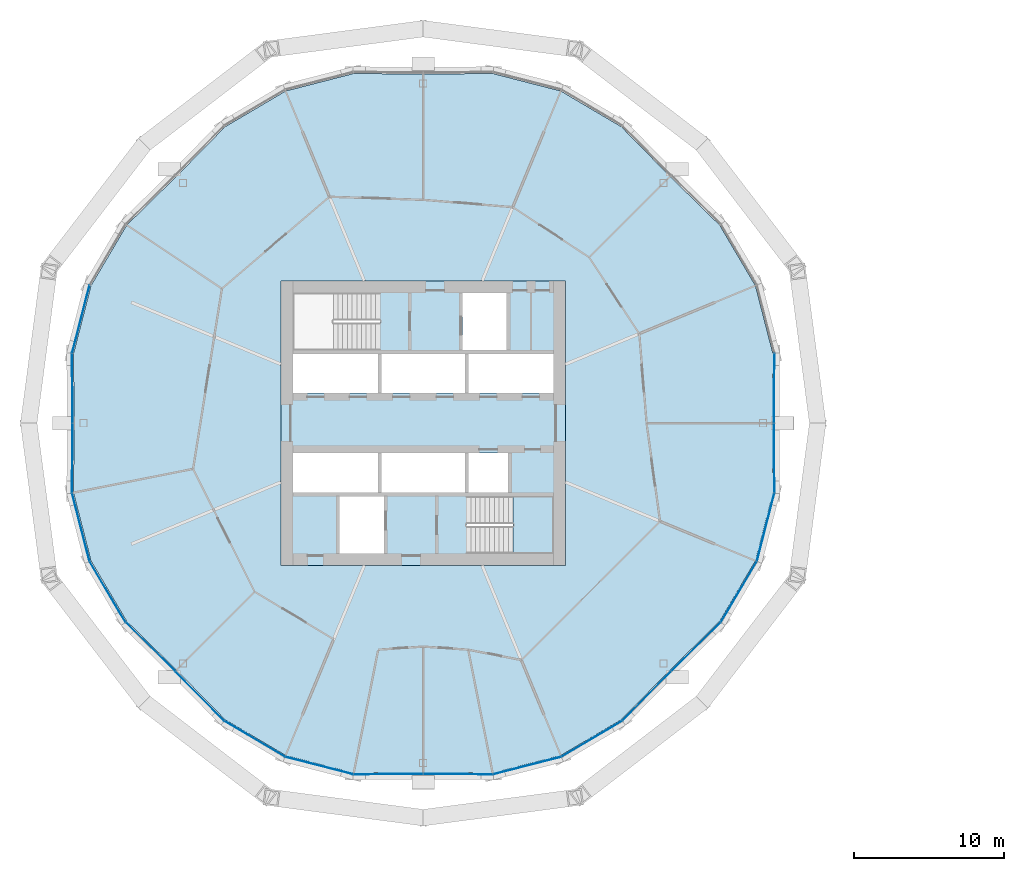
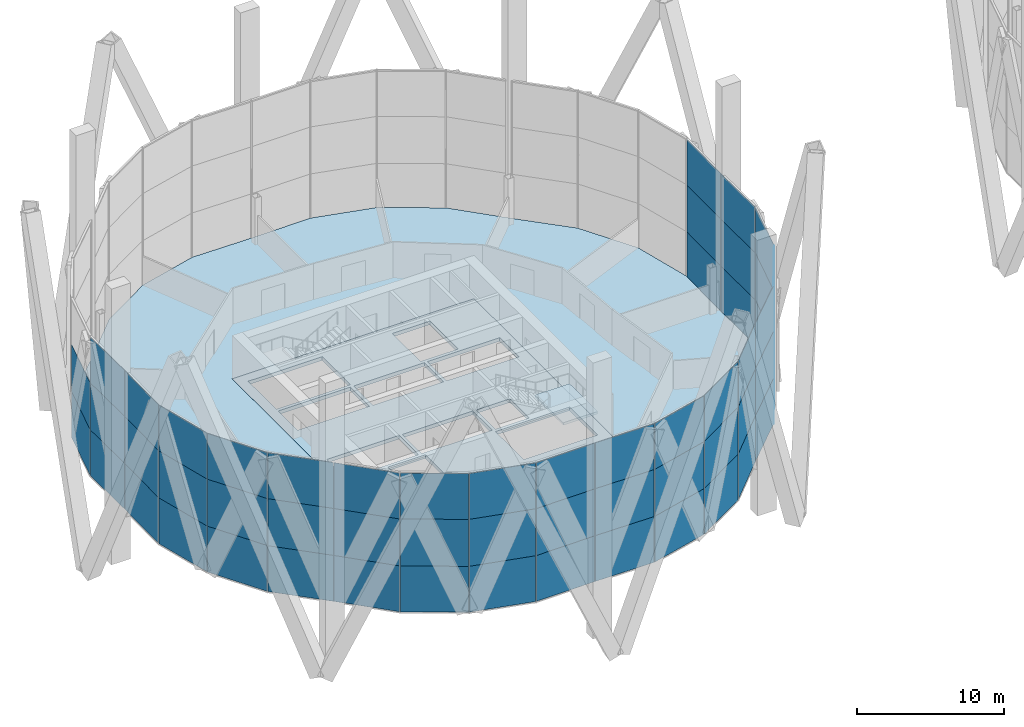
# One storey, part 15 of 26: 56 plates, 3 slabs, 7 elements without a shape of their own.
"""IFC4 building model written with IfcOpenShell, lengths in metres."""

import ifcopenshell
import ifcopenshell.guid

model = None  # the IFC model being written
_history = None  # IfcOwnerHistory: only IFC2X3 demands one
_inside = {}  # id of a spatial element -> (the spatial element, [elements in it])
_under = {}  # id of a project, library or spatial element -> (it, [spatial elements below it])
_declared = {}  # id of a project -> (the project, [libraries it declares])
_typed = {}  # id of a type object -> (the type object, [elements of that type])
_made_of = {}  # id of a material, layer set ... -> (it, [elements and type objects made of it])


def new_model(schema):
    """Start an empty IFC model of exactly this schema.

    Asked for "IFC4X3", IfcOpenShell would pick the latest addendum, in which some entities
    have other attributes; the version numbers below select the first issue.
    IFC2X3 requires an IfcOwnerHistory on every rooted entity: one is made here for all.
    """
    global model, _history
    if schema == "IFC4X3":
        model = ifcopenshell.file(schema_version=(4, 3, 0, 0))
    else:
        model = ifcopenshell.file(schema=schema)
    _inside.clear()
    _under.clear()
    _declared.clear()
    _typed.clear()
    _made_of.clear()
    _history = None
    if model.schema == "IFC2X3":
        org = make("IfcOrganization", Name="unknown")
        user = make(
            "IfcPersonAndOrganization",
            ThePerson=make("IfcPerson", FamilyName="unknown"),
            TheOrganization=org,
        )
        app = make(
            "IfcApplication",
            ApplicationDeveloper=org,
            Version="unknown",
            ApplicationFullName="unknown",
            ApplicationIdentifier="unknown",
        )
        _history = make(
            "IfcOwnerHistory",
            OwningUser=user,
            OwningApplication=app,
            ChangeAction="ADDED",
            CreationDate=0,
        )
    return model


def make(cls, **values):
    """One entity of the class cls with the attributes given. An attribute that is None is left unset."""
    return model.create_entity(
        cls, **{name: value for name, value in values.items() if value is not None}
    )


def rooted(cls, **values):
    """An entity with a GlobalId (a new one), such as an element, a storey or a relation."""
    return make(cls, GlobalId=ifcopenshell.guid.new(), OwnerHistory=_history, **values)


def si_unit(unit_type, name, prefix=None):
    """IfcSIUnit, for example si_unit("LENGTHUNIT", "METRE", prefix="MILLI")."""
    return make("IfcSIUnit", UnitType=unit_type, Prefix=prefix, Name=name)


def assignment(units):
    """IfcUnitAssignment: the units of a project."""
    return None if units is None else make("IfcUnitAssignment", Units=units)


def point(xyz):
    """IfcCartesianPoint."""
    return None if xyz is None else make("IfcCartesianPoint", Coordinates=xyz)


def direction(xyz):
    """IfcDirection."""
    return None if xyz is None else make("IfcDirection", DirectionRatios=xyz)


def frame(location, z_axis=None, x_axis=None):
    """IfcAxis2Placement3D, a coordinate frame: its origin and axes. An axis left out is left unset."""
    return make(
        "IfcAxis2Placement3D",
        Location=point(location),
        Axis=direction(z_axis),
        RefDirection=direction(x_axis),
    )


def frame_2d(location, x_axis=None):
    """IfcAxis2Placement2D, a coordinate frame in the plane: its origin and x axis."""
    return make(
        "IfcAxis2Placement2D", Location=point(location), RefDirection=direction(x_axis)
    )


def origin():
    """The frame at (0, 0, 0) with its axes left unset."""
    return frame((0.0, 0.0, 0.0))


def origin_2d():
    """The frame at (0, 0) in the plane with its x axis left unset."""
    return frame_2d((0.0, 0.0))


def place(relative_to, where):
    """IfcLocalPlacement: puts the frame where relative to a parent placement (None: the world)."""
    return make(
        "IfcLocalPlacement", PlacementRelTo=relative_to, RelativePlacement=where
    )


def context(
    kind, dimensions, precision=None, world=None, true_north=None, identifier=None
):
    """IfcGeometricRepresentationContext, for example the 3D "Model" context."""
    return make(
        "IfcGeometricRepresentationContext",
        ContextIdentifier=identifier,
        ContextType=kind,
        CoordinateSpaceDimension=dimensions,
        Precision=precision,
        WorldCoordinateSystem=world,
        TrueNorth=true_north,
    )


def subcontext(parent, identifier, kind, view, scale=None):
    """IfcGeometricRepresentationSubContext, for example "Body" below "Model"."""
    return make(
        "IfcGeometricRepresentationSubContext",
        ContextIdentifier=identifier,
        ContextType=kind,
        ParentContext=parent,
        TargetScale=scale,
        TargetView=view,
    )


def project(units=None, contexts=None):
    """IfcProject with its units and contexts."""
    return rooted(
        "IfcProject",
        Name="project",
        RepresentationContexts=contexts,
        UnitsInContext=assignment(units),
    )


def spatial(cls, under=None, at=None, **own):
    """A site, building, storey or space (cls), placed at a placement, below another one or the project."""
    s = rooted(cls, ObjectPlacement=at, **own)
    if under is not None:
        _under.setdefault(under.id(), (under, []))[1].append(s)
    return s


def polyline(points):
    """IfcPolyline through the points."""
    return make("IfcPolyline", Points=[point(p) for p in points])


def profile(cls, at=None, kind="AREA", **sizes):
    """A parametric profile (cls). Its sizes go by their IFC names, for example OverallWidth=200.0."""
    return make(cls, ProfileType=kind, Position=at, **sizes)


def rectangle(**sizes):
    """IfcRectangleProfileDef."""
    return profile("IfcRectangleProfileDef", **sizes)


def outline(outer, holes=None, kind="AREA"):
    """IfcArbitraryClosedProfileDef: a profile drawn as a closed curve; with holes, ...WithVoids."""
    if holes is None:
        return make("IfcArbitraryClosedProfileDef", ProfileType=kind, OuterCurve=outer)
    return make(
        "IfcArbitraryProfileDefWithVoids",
        ProfileType=kind,
        OuterCurve=outer,
        InnerCurves=holes,
    )


def extrude(swept, where, along, depth):
    """IfcExtrudedAreaSolid: the profile swept, set in the frame where, extruded along a direction by depth."""
    return make(
        "IfcExtrudedAreaSolid",
        SweptArea=swept,
        Position=where,
        ExtrudedDirection=direction(along),
        Depth=depth,
    )


def shape(context_of_items, identifier, shape_type, items):
    """IfcShapeRepresentation: the items that make up one representation, for example the "Body"."""
    return make(
        "IfcShapeRepresentation",
        ContextOfItems=context_of_items,
        RepresentationIdentifier=identifier,
        RepresentationType=shape_type,
        Items=items,
    )


def material(Name=None, Category=None):
    """IfcMaterial."""
    return make("IfcMaterial", Name=Name, Category=Category)


def layer(
    of_material, thickness, ventilated=None, Name=None, Category=None, Priority=None
):
    """IfcMaterialLayer: one layer of a wall or slab, of a material (None: an air gap)."""
    return make(
        "IfcMaterialLayer",
        Material=of_material,
        LayerThickness=thickness,
        IsVentilated=ventilated,
        Name=Name,
        Category=Category,
        Priority=Priority,
    )


def layer_set(layers, Name=None):
    """IfcMaterialLayerSet."""
    return make("IfcMaterialLayerSet", MaterialLayers=layers, LayerSetName=Name)


def made_of(thing, what):
    """Note that an element or type object is made of a material, layer set ...; save() writes the relation."""
    if what is not None:
        _made_of.setdefault(what.id(), (what, []))[1].append(thing)
    return thing


def type_object(cls, material=None, **own):
    """A type object (cls), such as IfcWallType, which elements share."""
    return made_of(rooted(cls, **own), material)


def element(
    cls,
    number,
    at=None,
    inside=None,
    cuts=None,
    type_object=None,
    material=None,
    context=None,
    identifier="Body",
    shape_type=None,
    held_by="IfcProductDefinitionShape",
    body=None,
    shapes=None,
    **own,
):
    """One element of the class cls, such as IfcWall. Its Tag is "e" and its number.

    at: its placement. inside: the storey or other place that contains it. cuts: it is an
    opening in that element (IfcRelVoidsElement). A single representation is given by context,
    identifier, shape_type and body (its items); several are given by shapes. held_by: the class
    of the entity that holds the representations. save() writes the other relations.
    """
    e = rooted(cls, Tag="e%d" % number, ObjectPlacement=at, **own)
    if body is not None:
        shapes = [shape(context, identifier, shape_type, body)]
    if shapes is not None:
        e.Representation = make(held_by, Representations=shapes)
    if inside is not None:
        _inside.setdefault(inside.id(), (inside, []))[1].append(e)
    if cuts is not None:
        rooted(
            "IfcRelVoidsElement", RelatingBuildingElement=cuts, RelatedOpeningElement=e
        )
    if type_object is not None:
        _typed.setdefault(type_object.id(), (type_object, []))[1].append(e)
    return made_of(e, material)


def aggregate(whole, parts):
    """IfcRelAggregates: a whole, such as a stair, and the parts it consists of."""
    return rooted("IfcRelAggregates", RelatingObject=whole, RelatedObjects=parts)


def save(model, path):
    """Write the relations noted so far, then the file.

    IfcRelAggregates (storeys below a building ...), IfcRelContainedInSpatialStructure (elements
    in a storey), IfcRelDefinesByType, IfcRelAssociatesMaterial and IfcRelDeclares: one each for
    every whole, place, type object, material and project.
    """
    for whole, parts in _under.values():
        aggregate(whole, parts)
    for where, things in _inside.values():
        rooted(
            "IfcRelContainedInSpatialStructure",
            RelatedElements=things,
            RelatingStructure=where,
        )
    for kind, things in _typed.values():
        rooted("IfcRelDefinesByType", RelatedObjects=things, RelatingType=kind)
    for what, things in _made_of.values():
        rooted("IfcRelAssociatesMaterial", RelatedObjects=things, RelatingMaterial=what)
    for by, libraries in _declared.values():
        rooted("IfcRelDeclares", RelatingContext=by, RelatedDefinitions=libraries)
    model.write(path)


model = new_model("IFC4")

# Units and contexts
model_context = context("Model", 3, precision=1e-05, world=origin(), true_north=direction((0.0, 1.0)))
body_context = subcontext(model_context, "Body", "Model", "MODEL_VIEW")
ifc_project = project(units=[si_unit("LENGTHUNIT", "METRE"), si_unit("AREAUNIT", "SQUARE_METRE"), si_unit("VOLUMEUNIT", "CUBIC_METRE"), si_unit("PLANEANGLEUNIT", "RADIAN"), si_unit("MASSUNIT", "GRAM", prefix="KILO")], contexts=[model_context])

# Site, building, storey
site_placement = place(None, origin())
site = spatial("IfcSite", under=ifc_project, at=site_placement, CompositionType="ELEMENT")
building_placement = place(site_placement, origin())
building = spatial("IfcBuilding", under=site, at=building_placement, Name="Ogive Gate Towers", CompositionType="ELEMENT")
storey_placement = place(building_placement, frame((0.0, 0.0, 76.199951171875)))
storey = spatial("IfcBuildingStorey", under=building, at=storey_placement, Name="L17", CompositionType="ELEMENT", Elevation=76.199951171875)

# Slabs
ifc_material_1 = material(Name="Concrete C40/50", Category="concrete")
ifc_layer_1 = layer(ifc_material_1, 0.300048828125)
ifc_layer_set_1 = layer_set([ifc_layer_1], Name="Core slab C40/50 300 mm")
slab_type_1 = type_object("IfcSlabType", Name="Core slab C40/50 300 mm", PredefinedType="FLOOR", material=ifc_layer_set_1)
slab_1_placement = place(storey_placement, frame((0.0, 0.0, -0.300048828125)))
element("IfcSlab", 1, at=slab_1_placement, inside=storey, type_object=slab_type_1, Name="T1 L17 core slab", PredefinedType="FLOOR", context=body_context, shape_type="SweptSolid", body=[
    extrude(outline(polyline([(-26.5, 9.5), (-26.5, -9.5), (-45.5, -9.5), (-45.5, 9.5), (-26.5, 9.5)]), holes=[polyline([(-39.02490234375, 4.625), (-44.699951171875, 4.625), (-44.699951171875, 2.0), (-39.02490234375, 2.0), (-39.02490234375, 4.625)]), polyline([(-33.22509765625, 2.0), (-33.22509765625, 4.625), (-38.77490234375, 4.625), (-38.77490234375, 2.0), (-33.22509765625, 2.0)]), polyline([(-32.97509765625, 2.0), (-27.300048828125, 2.0), (-27.300048828125, 4.625), (-32.97509765625, 4.625), (-32.97509765625, 2.0)]), polyline([(-44.699951171875, -2.0), (-44.699951171875, -4.625), (-39.02490234375, -4.625), (-39.02490234375, -2.0), (-44.699951171875, -2.0)]), polyline([(-33.22509765625, -2.0), (-38.77490234375, -2.0), (-38.77490234375, -4.625), (-33.22509765625, -4.625), (-33.22509765625, -2.0)]), polyline([(-30.324951171875, -4.625), (-30.324951171875, -2.0), (-32.97509765625, -2.0), (-32.97509765625, -4.625), (-30.324951171875, -4.625)]), polyline([(-33.375, 4.875), (-30.425048828125, 4.875), (-30.425048828125, 8.699951171875), (-33.375, 8.699951171875), (-33.375, 4.875)]), polyline([(-41.574951171875, -4.875), (-41.574951171875, -8.699951171875), (-38.625, -8.699951171875), (-38.625, -4.875), (-41.574951171875, -4.875)]), polyline([(-44.699951171875, 4.875), (-38.885009765625, 4.875), (-38.885009765625, 8.699951171875), (-44.699951171875, 8.699951171875), (-44.699951171875, 4.875)]), polyline([(-27.300048828125, -8.699951171875), (-27.300048828125, -4.875), (-33.114990234375, -4.875), (-33.114990234375, -8.699951171875), (-27.300048828125, -8.699951171875)])]), origin(), (0.0, 0.0, 1.0), 0.300048828125),
])
ifc_material_2 = material(Name="Concrete C35/45", Category="concrete")
ifc_layer_2 = layer(ifc_material_2, 0.300048828125)
ifc_layer_set_2 = layer_set([ifc_layer_2], Name="Floor slab 300")
slab_type_2 = type_object("IfcSlabType", Name="Floor slab 300", PredefinedType="FLOOR", material=ifc_layer_set_2)
slab_2_placement = place(storey_placement, frame((0.0, 0.0, -0.300048828125)))
element("IfcSlab", 2, at=slab_2_placement, inside=storey, type_object=slab_type_2, Name="T1/L17/SSL001", PredefinedType="FLOOR", context=body_context, shape_type="SweptSolid", body=[
    extrude(outline(polyline([(-12.6572265625, -4.64306640625), (-12.699951171875, 0.0), (-12.6572265625, 4.64306640625), (-13.826904296875, 9.184326171875), (-16.2109375, 13.22265625), (-19.5244140625, 16.4755859375), (-22.77734375, 19.7890625), (-26.815673828125, 22.173095703125), (-31.35693359375, 23.3427734375), (-36.0, 23.300048828125), (-40.64306640625, 23.3427734375), (-45.184326171875, 22.173095703125), (-49.22265625, 19.7890625), (-52.4755859375, 16.4755859375), (-55.7890625, 13.22265625), (-58.173095703125, 9.184326171875), (-59.3427734375, 4.64306640625), (-59.300048828125, 0.0), (-59.3427734375, -4.64306640625), (-58.173095703125, -9.184326171875), (-55.7890625, -13.22265625), (-52.4755859375, -16.4755859375), (-49.22265625, -19.7890625), (-45.184326171875, -22.173095703125), (-40.64306640625, -23.3427734375), (-36.0, -23.300048828125), (-31.35693359375, -23.3427734375), (-26.815673828125, -22.173095703125), (-22.77734375, -19.7890625), (-19.5244140625, -16.4755859375), (-16.2109375, -13.22265625), (-13.826904296875, -9.184326171875), (-12.6572265625, -4.64306640625)]), holes=[polyline([(-26.5, -9.5), (-45.5, -9.5), (-45.5, 9.5), (-26.5, 9.5), (-26.5, -9.5)])]), origin(), (0.0, 0.0, 1.0), 0.300048828125),
])

# Stair, slab
stair_type = type_object("IfcStairType", Name="Escape stair 1840 wide", PredefinedType="HALF_TURN_STAIR", material=ifc_material_1)
stair_placement = place(storey_placement, origin())
stair = element("IfcStair", 3, at=stair_placement, inside=storey, type_object=stair_type, Name="L17 Escape stair 2", PredefinedType="HALF_TURN_STAIR")
ifc_layer_3 = layer(ifc_material_1, 0.199951171875)
ifc_layer_set_3 = layer_set([ifc_layer_3], Name="Stair landing 200 mm")
slab_type_3 = type_object("IfcSlabType", Name="Stair landing 200 mm", PredefinedType="LANDING", material=ifc_layer_set_3)
slab_3_placement = place(storey_placement, frame((0.0, 0.0, 1.75)))
slab_3 = element("IfcSlab", 4, at=slab_3_placement, type_object=slab_type_3, Name="ST2 landing 1", PredefinedType="LANDING", context=body_context, shape_type="SweptSolid", body=[
    extrude(outline(polyline([(-29.99853515625, -8.699951171875), (-27.300048828125, -8.699951171875), (-27.300048828125, -4.875), (-29.99853515625, -4.875), (-29.99853515625, -8.699951171875)])), origin(), (0.0, 0.0, 1.0), 0.199951171875),
])
aggregate(stair, [slab_3])

# Curtain wall, plates
ifc_material_3 = material(Name="Pale metal aluminium", Category="aluminium")
curtain_wall_type = type_object("IfcCurtainWallType", Name="Tower unitised wall, low zone", PredefinedType="NOTDEFINED", material=ifc_material_3)
curtain_wall_1_placement = place(storey_placement, origin())
curtain_wall_1 = element("IfcCurtainWall", 5, at=curtain_wall_1_placement, inside=storey, type_object=curtain_wall_type, Name="CW1 T1 ECW01", PredefinedType="NOTDEFINED")
ifc_material_4 = material(Name="Clear glass", Category="glass")
ifc_layer_4 = layer(ifc_material_4, 0.028076171875)
ifc_layer_set_4 = layer_set([ifc_layer_4], Name="Tower unitised wall, low zone glass panel")
plate_type = type_object("IfcPlateType", Name="Tower unitised wall, low zone glass panel", PredefinedType="CURTAIN_PANEL", material=ifc_layer_set_4)
plate_1_placement = place(storey_placement, frame((-12.57861328125, 2.32568359375, -0.2041015625), z_axis=(0.0, 0.0, 1.0), x_axis=(0.009197755467, 0.999957699753, 0.0)))
plate_1 = element("IfcPlate", 6, at=plate_1_placement, type_object=plate_type, Name="CW1 glass panel", PredefinedType="CURTAIN_PANEL", context=body_context, shape_type="SweptSolid", body=[
    extrude(rectangle(XDim=4.597900390625, YDim=0.028076171875, at=origin_2d()), origin(), (0.0, 0.0, 1.0), 3.803955078125),
])
plate_2_placement = place(storey_placement, frame((-12.57861328125, 2.32568359375, 3.60009765625), z_axis=(0.0, 0.0, 1.0), x_axis=(0.009197755467, 0.999957699753, 0.0)))
plate_2 = element("IfcPlate", 7, at=plate_2_placement, type_object=plate_type, Name="CW1 glass panel", PredefinedType="CURTAIN_PANEL", context=body_context, shape_type="SweptSolid", body=[
    extrude(rectangle(XDim=4.597900390625, YDim=0.028076171875, at=origin_2d()), origin(), (0.0, 0.0, 1.0), 3.89990234375),
])
plate_3_placement = place(storey_placement, frame((-12.57861328125, 2.32568359375, 7.5), z_axis=(0.0, 0.0, 1.0), x_axis=(0.009197755467, 0.999957699753, 0.0)))
plate_3 = element("IfcPlate", 8, at=plate_3_placement, type_object=plate_type, Name="CW1 glass panel", PredefinedType="CURTAIN_PANEL", context=body_context, shape_type="SweptSolid", body=[
    extrude(rectangle(XDim=4.597900390625, YDim=0.028076171875, at=origin_2d()), origin(), (0.0, 0.0, 1.0), 3.803955078125),
])
aggregate(curtain_wall_1, [plate_1, plate_2, plate_3])

curtain_wall_2_placement = place(storey_placement, origin())
curtain_wall_2 = element("IfcCurtainWall", 9, at=curtain_wall_2_placement, inside=storey, type_object=curtain_wall_type, Name="CW1 T1 ECW04", PredefinedType="NOTDEFINED")
plate_4_placement = place(storey_placement, frame((-58.8544921875, 6.939208984375, -0.2041015625), z_axis=(0.0, 0.0, 1.0), x_axis=(-0.249416730566, -0.968396248709, 0.0)))
plate_4 = element("IfcPlate", 10, at=plate_4_placement, type_object=plate_type, Name="CW1 glass panel", PredefinedType="CURTAIN_PANEL", context=body_context, shape_type="SweptSolid", body=[
    extrude(rectangle(XDim=4.65478515625, YDim=0.028076171875, at=origin_2d()), origin(), (0.0, 0.0, 1.0), 3.803955078125),
])
plate_5_placement = place(storey_placement, frame((-58.8544921875, 6.939208984375, 3.60009765625), z_axis=(0.0, 0.0, 1.0), x_axis=(-0.249416730566, -0.968396248709, 0.0)))
plate_5 = element("IfcPlate", 11, at=plate_5_placement, type_object=plate_type, Name="CW1 glass panel", PredefinedType="CURTAIN_PANEL", context=body_context, shape_type="SweptSolid", body=[
    extrude(rectangle(XDim=4.65478515625, YDim=0.028076171875, at=origin_2d()), origin(), (0.0, 0.0, 1.0), 3.89990234375),
])
plate_6_placement = place(storey_placement, frame((-59.42138671875, 2.32568359375, -0.2041015625), z_axis=(0.0, 0.0, 1.0), x_axis=(0.009197755467, -0.999957699753, 0.0)))
plate_6 = element("IfcPlate", 12, at=plate_6_placement, type_object=plate_type, Name="CW1 glass panel", PredefinedType="CURTAIN_PANEL", context=body_context, shape_type="SweptSolid", body=[
    extrude(rectangle(XDim=4.597900390625, YDim=0.028076171875, at=origin_2d()), origin(), (0.0, 0.0, 1.0), 3.803955078125),
])
plate_7_placement = place(storey_placement, frame((-59.42138671875, 2.32568359375, 3.60009765625), z_axis=(0.0, 0.0, 1.0), x_axis=(0.009197755467, -0.999957699753, 0.0)))
plate_7 = element("IfcPlate", 13, at=plate_7_placement, type_object=plate_type, Name="CW1 glass panel", PredefinedType="CURTAIN_PANEL", context=body_context, shape_type="SweptSolid", body=[
    extrude(rectangle(XDim=4.597900390625, YDim=0.028076171875, at=origin_2d()), origin(), (0.0, 0.0, 1.0), 3.89990234375),
])
plate_8_placement = place(storey_placement, frame((-59.42138671875, 2.32568359375, 7.5), z_axis=(0.0, 0.0, 1.0), x_axis=(0.009197755467, -0.999957699753, 0.0)))
plate_8 = element("IfcPlate", 14, at=plate_8_placement, type_object=plate_type, Name="CW1 glass panel", PredefinedType="CURTAIN_PANEL", context=body_context, shape_type="SweptSolid", body=[
    extrude(rectangle(XDim=4.597900390625, YDim=0.028076171875, at=origin_2d()), origin(), (0.0, 0.0, 1.0), 3.803955078125),
])
aggregate(curtain_wall_2, [plate_4, plate_5, plate_6, plate_7, plate_8])

curtain_wall_3_placement = place(storey_placement, origin())
curtain_wall_3 = element("IfcCurtainWall", 15, at=curtain_wall_3_placement, inside=storey, type_object=curtain_wall_type, Name="CW1 T1 ECW05", PredefinedType="NOTDEFINED")
plate_9_placement = place(storey_placement, frame((-59.42138671875, -2.32568359375, -0.2041015625), z_axis=(0.0, 0.0, 1.0), x_axis=(-0.009197755467, -0.999957699753, 0.0)))
plate_9 = element("IfcPlate", 16, at=plate_9_placement, type_object=plate_type, Name="CW1 glass panel", PredefinedType="CURTAIN_PANEL", context=body_context, shape_type="SweptSolid", body=[
    extrude(rectangle(XDim=4.597900390625, YDim=0.028076171875, at=origin_2d()), origin(), (0.0, 0.0, 1.0), 3.803955078125),
])
plate_10_placement = place(storey_placement, frame((-59.42138671875, -2.32568359375, 3.60009765625), z_axis=(0.0, 0.0, 1.0), x_axis=(-0.009197755467, -0.999957699753, 0.0)))
plate_10 = element("IfcPlate", 17, at=plate_10_placement, type_object=plate_type, Name="CW1 glass panel", PredefinedType="CURTAIN_PANEL", context=body_context, shape_type="SweptSolid", body=[
    extrude(rectangle(XDim=4.597900390625, YDim=0.028076171875, at=origin_2d()), origin(), (0.0, 0.0, 1.0), 3.89990234375),
])
plate_11_placement = place(storey_placement, frame((-59.42138671875, -2.32568359375, 7.5), z_axis=(0.0, 0.0, 1.0), x_axis=(-0.009197755467, -0.999957699753, 0.0)))
plate_11 = element("IfcPlate", 18, at=plate_11_placement, type_object=plate_type, Name="CW1 glass panel", PredefinedType="CURTAIN_PANEL", context=body_context, shape_type="SweptSolid", body=[
    extrude(rectangle(XDim=4.597900390625, YDim=0.028076171875, at=origin_2d()), origin(), (0.0, 0.0, 1.0), 3.803955078125),
])
plate_12_placement = place(storey_placement, frame((-58.8544921875, -6.939208984375, -0.2041015625), z_axis=(0.0, 0.0, 1.0), x_axis=(0.249416730566, -0.968396248709, 0.0)))
plate_12 = element("IfcPlate", 19, at=plate_12_placement, type_object=plate_type, Name="CW1 glass panel", PredefinedType="CURTAIN_PANEL", context=body_context, shape_type="SweptSolid", body=[
    extrude(rectangle(XDim=4.65478515625, YDim=0.028076171875, at=origin_2d()), origin(), (0.0, 0.0, 1.0), 3.803955078125),
])
plate_13_placement = place(storey_placement, frame((-58.8544921875, -6.939208984375, 3.60009765625), z_axis=(0.0, 0.0, 1.0), x_axis=(0.249416730566, -0.968396248709, 0.0)))
plate_13 = element("IfcPlate", 20, at=plate_13_placement, type_object=plate_type, Name="CW1 glass panel", PredefinedType="CURTAIN_PANEL", context=body_context, shape_type="SweptSolid", body=[
    extrude(rectangle(XDim=4.65478515625, YDim=0.028076171875, at=origin_2d()), origin(), (0.0, 0.0, 1.0), 3.89990234375),
])
plate_14_placement = place(storey_placement, frame((-58.8544921875, -6.939208984375, 7.5), z_axis=(0.0, 0.0, 1.0), x_axis=(0.249416730566, -0.968396248709, 0.0)))
plate_14 = element("IfcPlate", 21, at=plate_14_placement, type_object=plate_type, Name="CW1 glass panel", PredefinedType="CURTAIN_PANEL", context=body_context, shape_type="SweptSolid", body=[
    extrude(rectangle(XDim=4.65478515625, YDim=0.028076171875, at=origin_2d()), origin(), (0.0, 0.0, 1.0), 3.803955078125),
])
plate_15_placement = place(storey_placement, frame((-57.0673828125, -11.25390625, -0.2041015625), z_axis=(0.0, 0.0, 1.0), x_axis=(0.508410322181, -0.86111494256, 0.0)))
plate_15 = element("IfcPlate", 22, at=plate_15_placement, type_object=plate_type, Name="CW1 glass panel", PredefinedType="CURTAIN_PANEL", context=body_context, shape_type="SweptSolid", body=[
    extrude(rectangle(XDim=4.65478515625, YDim=0.028076171875, at=origin_2d()), origin(), (0.0, 0.0, 1.0), 3.803955078125),
])
plate_16_placement = place(storey_placement, frame((-57.0673828125, -11.25390625, 3.60009765625), z_axis=(0.0, 0.0, 1.0), x_axis=(0.508410322181, -0.86111494256, 0.0)))
plate_16 = element("IfcPlate", 23, at=plate_16_placement, type_object=plate_type, Name="CW1 glass panel", PredefinedType="CURTAIN_PANEL", context=body_context, shape_type="SweptSolid", body=[
    extrude(rectangle(XDim=4.65478515625, YDim=0.028076171875, at=origin_2d()), origin(), (0.0, 0.0, 1.0), 3.89990234375),
])
plate_17_placement = place(storey_placement, frame((-57.0673828125, -11.25390625, 7.5), z_axis=(0.0, 0.0, 1.0), x_axis=(0.508410322181, -0.86111494256, 0.0)))
plate_17 = element("IfcPlate", 24, at=plate_17_placement, type_object=plate_type, Name="CW1 glass panel", PredefinedType="CURTAIN_PANEL", context=body_context, shape_type="SweptSolid", body=[
    extrude(rectangle(XDim=4.65478515625, YDim=0.028076171875, at=origin_2d()), origin(), (0.0, 0.0, 1.0), 3.803955078125),
])
plate_18_placement = place(storey_placement, frame((-54.2060546875, -14.916748046875, -0.2041015625), z_axis=(0.0, 0.0, 1.0), x_axis=(0.713568438241, -0.700585529358, 0.0)))
plate_18 = element("IfcPlate", 25, at=plate_18_placement, type_object=plate_type, Name="CW1 glass panel", PredefinedType="CURTAIN_PANEL", context=body_context, shape_type="SweptSolid", body=[
    extrude(rectangle(XDim=4.59765625, YDim=0.028076171875, at=origin_2d()), origin(), (0.0, 0.0, 1.0), 3.803955078125),
])
plate_19_placement = place(storey_placement, frame((-54.2060546875, -14.916748046875, 3.60009765625), z_axis=(0.0, 0.0, 1.0), x_axis=(0.713568438241, -0.700585529358, 0.0)))
plate_19 = element("IfcPlate", 26, at=plate_19_placement, type_object=plate_type, Name="CW1 glass panel", PredefinedType="CURTAIN_PANEL", context=body_context, shape_type="SweptSolid", body=[
    extrude(rectangle(XDim=4.59765625, YDim=0.028076171875, at=origin_2d()), origin(), (0.0, 0.0, 1.0), 3.89990234375),
])
plate_20_placement = place(storey_placement, frame((-54.2060546875, -14.916748046875, 7.5), z_axis=(0.0, 0.0, 1.0), x_axis=(0.713568438241, -0.700585529358, 0.0)))
plate_20 = element("IfcPlate", 27, at=plate_20_placement, type_object=plate_type, Name="CW1 glass panel", PredefinedType="CURTAIN_PANEL", context=body_context, shape_type="SweptSolid", body=[
    extrude(rectangle(XDim=4.59765625, YDim=0.028076171875, at=origin_2d()), origin(), (0.0, 0.0, 1.0), 3.803955078125),
])
aggregate(curtain_wall_3, [plate_9, plate_10, plate_11, plate_12, plate_13, plate_14, plate_15, plate_16, plate_17, plate_18, plate_19, plate_20])

curtain_wall_4_placement = place(storey_placement, origin())
curtain_wall_4 = element("IfcCurtainWall", 28, at=curtain_wall_4_placement, inside=storey, type_object=curtain_wall_type, Name="CW1 T1 ECW06", PredefinedType="NOTDEFINED")
plate_21_placement = place(storey_placement, frame((-50.916748046875, -18.2060546875, -0.2041015625), z_axis=(0.0, 0.0, 1.0), x_axis=(0.700585529358, -0.713568438241, 0.0)))
plate_21 = element("IfcPlate", 29, at=plate_21_placement, type_object=plate_type, Name="CW1 glass panel", PredefinedType="CURTAIN_PANEL", context=body_context, shape_type="SweptSolid", body=[
    extrude(rectangle(XDim=4.59765625, YDim=0.028076171875, at=origin_2d()), origin(), (0.0, 0.0, 1.0), 3.803955078125),
])
plate_22_placement = place(storey_placement, frame((-50.916748046875, -18.2060546875, 3.60009765625), z_axis=(0.0, 0.0, 1.0), x_axis=(0.700585529358, -0.713568438241, 0.0)))
plate_22 = element("IfcPlate", 30, at=plate_22_placement, type_object=plate_type, Name="CW1 glass panel", PredefinedType="CURTAIN_PANEL", context=body_context, shape_type="SweptSolid", body=[
    extrude(rectangle(XDim=4.59765625, YDim=0.028076171875, at=origin_2d()), origin(), (0.0, 0.0, 1.0), 3.89990234375),
])
plate_23_placement = place(storey_placement, frame((-50.916748046875, -18.2060546875, 7.5), z_axis=(0.0, 0.0, 1.0), x_axis=(0.700585529358, -0.713568438241, 0.0)))
plate_23 = element("IfcPlate", 31, at=plate_23_placement, type_object=plate_type, Name="CW1 glass panel", PredefinedType="CURTAIN_PANEL", context=body_context, shape_type="SweptSolid", body=[
    extrude(rectangle(XDim=4.59765625, YDim=0.028076171875, at=origin_2d()), origin(), (0.0, 0.0, 1.0), 3.803955078125),
])
plate_24_placement = place(storey_placement, frame((-47.25390625, -21.0673828125, -0.2041015625), z_axis=(0.0, 0.0, 1.0), x_axis=(0.86111494256, -0.508410322181, 0.0)))
plate_24 = element("IfcPlate", 32, at=plate_24_placement, type_object=plate_type, Name="CW1 glass panel", PredefinedType="CURTAIN_PANEL", context=body_context, shape_type="SweptSolid", body=[
    extrude(rectangle(XDim=4.65478515625, YDim=0.028076171875, at=origin_2d()), origin(), (0.0, 0.0, 1.0), 3.803955078125),
])
plate_25_placement = place(storey_placement, frame((-47.25390625, -21.0673828125, 3.60009765625), z_axis=(0.0, 0.0, 1.0), x_axis=(0.86111494256, -0.508410322181, 0.0)))
plate_25 = element("IfcPlate", 33, at=plate_25_placement, type_object=plate_type, Name="CW1 glass panel", PredefinedType="CURTAIN_PANEL", context=body_context, shape_type="SweptSolid", body=[
    extrude(rectangle(XDim=4.65478515625, YDim=0.028076171875, at=origin_2d()), origin(), (0.0, 0.0, 1.0), 3.89990234375),
])
plate_26_placement = place(storey_placement, frame((-47.25390625, -21.0673828125, 7.5), z_axis=(0.0, 0.0, 1.0), x_axis=(0.86111494256, -0.508410322181, 0.0)))
plate_26 = element("IfcPlate", 34, at=plate_26_placement, type_object=plate_type, Name="CW1 glass panel", PredefinedType="CURTAIN_PANEL", context=body_context, shape_type="SweptSolid", body=[
    extrude(rectangle(XDim=4.65478515625, YDim=0.028076171875, at=origin_2d()), origin(), (0.0, 0.0, 1.0), 3.803955078125),
])
plate_27_placement = place(storey_placement, frame((-42.939208984375, -22.8544921875, -0.2041015625), z_axis=(0.0, 0.0, 1.0), x_axis=(0.968396248709, -0.249416730566, 0.0)))
plate_27 = element("IfcPlate", 35, at=plate_27_placement, type_object=plate_type, Name="CW1 glass panel", PredefinedType="CURTAIN_PANEL", context=body_context, shape_type="SweptSolid", body=[
    extrude(rectangle(XDim=4.65478515625, YDim=0.028076171875, at=origin_2d()), origin(), (0.0, 0.0, 1.0), 3.803955078125),
])
plate_28_placement = place(storey_placement, frame((-42.939208984375, -22.8544921875, 3.60009765625), z_axis=(0.0, 0.0, 1.0), x_axis=(0.968396248709, -0.249416730566, 0.0)))
plate_28 = element("IfcPlate", 36, at=plate_28_placement, type_object=plate_type, Name="CW1 glass panel", PredefinedType="CURTAIN_PANEL", context=body_context, shape_type="SweptSolid", body=[
    extrude(rectangle(XDim=4.65478515625, YDim=0.028076171875, at=origin_2d()), origin(), (0.0, 0.0, 1.0), 3.89990234375),
])
plate_29_placement = place(storey_placement, frame((-42.939208984375, -22.8544921875, 7.5), z_axis=(0.0, 0.0, 1.0), x_axis=(0.968396248709, -0.249416730566, 0.0)))
plate_29 = element("IfcPlate", 37, at=plate_29_placement, type_object=plate_type, Name="CW1 glass panel", PredefinedType="CURTAIN_PANEL", context=body_context, shape_type="SweptSolid", body=[
    extrude(rectangle(XDim=4.65478515625, YDim=0.028076171875, at=origin_2d()), origin(), (0.0, 0.0, 1.0), 3.803955078125),
])
plate_30_placement = place(storey_placement, frame((-38.32568359375, -23.42138671875, -0.2041015625), z_axis=(0.0, 0.0, 1.0), x_axis=(0.999957699753, 0.009197755467, 0.0)))
plate_30 = element("IfcPlate", 38, at=plate_30_placement, type_object=plate_type, Name="CW1 glass panel", PredefinedType="CURTAIN_PANEL", context=body_context, shape_type="SweptSolid", body=[
    extrude(rectangle(XDim=4.597900390625, YDim=0.028076171875, at=origin_2d()), origin(), (0.0, 0.0, 1.0), 3.803955078125),
])
plate_31_placement = place(storey_placement, frame((-38.32568359375, -23.42138671875, 3.60009765625), z_axis=(0.0, 0.0, 1.0), x_axis=(0.999957699753, 0.009197755467, 0.0)))
plate_31 = element("IfcPlate", 39, at=plate_31_placement, type_object=plate_type, Name="CW1 glass panel", PredefinedType="CURTAIN_PANEL", context=body_context, shape_type="SweptSolid", body=[
    extrude(rectangle(XDim=4.597900390625, YDim=0.028076171875, at=origin_2d()), origin(), (0.0, 0.0, 1.0), 3.89990234375),
])
plate_32_placement = place(storey_placement, frame((-38.32568359375, -23.42138671875, 7.5), z_axis=(0.0, 0.0, 1.0), x_axis=(0.999957699753, 0.009197755467, 0.0)))
plate_32 = element("IfcPlate", 40, at=plate_32_placement, type_object=plate_type, Name="CW1 glass panel", PredefinedType="CURTAIN_PANEL", context=body_context, shape_type="SweptSolid", body=[
    extrude(rectangle(XDim=4.597900390625, YDim=0.028076171875, at=origin_2d()), origin(), (0.0, 0.0, 1.0), 3.803955078125),
])
aggregate(curtain_wall_4, [plate_21, plate_22, plate_23, plate_24, plate_25, plate_26, plate_27, plate_28, plate_29, plate_30, plate_31, plate_32])

curtain_wall_5_placement = place(storey_placement, origin())
curtain_wall_5 = element("IfcCurtainWall", 41, at=curtain_wall_5_placement, inside=storey, type_object=curtain_wall_type, Name="CW1 T1 ECW07", PredefinedType="NOTDEFINED")
plate_33_placement = place(storey_placement, frame((-33.67431640625, -23.42138671875, -0.2041015625), z_axis=(0.0, 0.0, 1.0), x_axis=(0.999957699753, -0.009197755467, 0.0)))
plate_33 = element("IfcPlate", 42, at=plate_33_placement, type_object=plate_type, Name="CW1 glass panel", PredefinedType="CURTAIN_PANEL", context=body_context, shape_type="SweptSolid", body=[
    extrude(rectangle(XDim=4.597900390625, YDim=0.028076171875, at=origin_2d()), origin(), (0.0, 0.0, 1.0), 3.803955078125),
])
plate_34_placement = place(storey_placement, frame((-33.67431640625, -23.42138671875, 3.60009765625), z_axis=(0.0, 0.0, 1.0), x_axis=(0.999957699753, -0.009197755467, 0.0)))
plate_34 = element("IfcPlate", 43, at=plate_34_placement, type_object=plate_type, Name="CW1 glass panel", PredefinedType="CURTAIN_PANEL", context=body_context, shape_type="SweptSolid", body=[
    extrude(rectangle(XDim=4.597900390625, YDim=0.028076171875, at=origin_2d()), origin(), (0.0, 0.0, 1.0), 3.89990234375),
])
plate_35_placement = place(storey_placement, frame((-33.67431640625, -23.42138671875, 7.5), z_axis=(0.0, 0.0, 1.0), x_axis=(0.999957699753, -0.009197755467, 0.0)))
plate_35 = element("IfcPlate", 44, at=plate_35_placement, type_object=plate_type, Name="CW1 glass panel", PredefinedType="CURTAIN_PANEL", context=body_context, shape_type="SweptSolid", body=[
    extrude(rectangle(XDim=4.597900390625, YDim=0.028076171875, at=origin_2d()), origin(), (0.0, 0.0, 1.0), 3.803955078125),
])
plate_36_placement = place(storey_placement, frame((-29.060791015625, -22.8544921875, -0.2041015625), z_axis=(0.0, 0.0, 1.0), x_axis=(0.968396248709, 0.249416730566, 0.0)))
plate_36 = element("IfcPlate", 45, at=plate_36_placement, type_object=plate_type, Name="CW1 glass panel", PredefinedType="CURTAIN_PANEL", context=body_context, shape_type="SweptSolid", body=[
    extrude(rectangle(XDim=4.65478515625, YDim=0.028076171875, at=origin_2d()), origin(), (0.0, 0.0, 1.0), 3.803955078125),
])
plate_37_placement = place(storey_placement, frame((-29.060791015625, -22.8544921875, 3.60009765625), z_axis=(0.0, 0.0, 1.0), x_axis=(0.968396248709, 0.249416730566, 0.0)))
plate_37 = element("IfcPlate", 46, at=plate_37_placement, type_object=plate_type, Name="CW1 glass panel", PredefinedType="CURTAIN_PANEL", context=body_context, shape_type="SweptSolid", body=[
    extrude(rectangle(XDim=4.65478515625, YDim=0.028076171875, at=origin_2d()), origin(), (0.0, 0.0, 1.0), 3.89990234375),
])
plate_38_placement = place(storey_placement, frame((-29.060791015625, -22.8544921875, 7.5), z_axis=(0.0, 0.0, 1.0), x_axis=(0.968396248709, 0.249416730566, 0.0)))
plate_38 = element("IfcPlate", 47, at=plate_38_placement, type_object=plate_type, Name="CW1 glass panel", PredefinedType="CURTAIN_PANEL", context=body_context, shape_type="SweptSolid", body=[
    extrude(rectangle(XDim=4.65478515625, YDim=0.028076171875, at=origin_2d()), origin(), (0.0, 0.0, 1.0), 3.803955078125),
])
plate_39_placement = place(storey_placement, frame((-24.74609375, -21.0673828125, -0.2041015625), z_axis=(0.0, 0.0, 1.0), x_axis=(0.86111494256, 0.508410322181, 0.0)))
plate_39 = element("IfcPlate", 48, at=plate_39_placement, type_object=plate_type, Name="CW1 glass panel", PredefinedType="CURTAIN_PANEL", context=body_context, shape_type="SweptSolid", body=[
    extrude(rectangle(XDim=4.65478515625, YDim=0.028076171875, at=origin_2d()), origin(), (0.0, 0.0, 1.0), 3.803955078125),
])
plate_40_placement = place(storey_placement, frame((-24.74609375, -21.0673828125, 3.60009765625), z_axis=(0.0, 0.0, 1.0), x_axis=(0.86111494256, 0.508410322181, 0.0)))
plate_40 = element("IfcPlate", 49, at=plate_40_placement, type_object=plate_type, Name="CW1 glass panel", PredefinedType="CURTAIN_PANEL", context=body_context, shape_type="SweptSolid", body=[
    extrude(rectangle(XDim=4.65478515625, YDim=0.028076171875, at=origin_2d()), origin(), (0.0, 0.0, 1.0), 3.89990234375),
])
plate_41_placement = place(storey_placement, frame((-24.74609375, -21.0673828125, 7.5), z_axis=(0.0, 0.0, 1.0), x_axis=(0.86111494256, 0.508410322181, 0.0)))
plate_41 = element("IfcPlate", 50, at=plate_41_placement, type_object=plate_type, Name="CW1 glass panel", PredefinedType="CURTAIN_PANEL", context=body_context, shape_type="SweptSolid", body=[
    extrude(rectangle(XDim=4.65478515625, YDim=0.028076171875, at=origin_2d()), origin(), (0.0, 0.0, 1.0), 3.803955078125),
])
plate_42_placement = place(storey_placement, frame((-21.083251953125, -18.2060546875, -0.2041015625), z_axis=(0.0, 0.0, 1.0), x_axis=(0.700585529358, 0.713568438241, 0.0)))
plate_42 = element("IfcPlate", 51, at=plate_42_placement, type_object=plate_type, Name="CW1 glass panel", PredefinedType="CURTAIN_PANEL", context=body_context, shape_type="SweptSolid", body=[
    extrude(rectangle(XDim=4.59765625, YDim=0.028076171875, at=origin_2d()), origin(), (0.0, 0.0, 1.0), 3.803955078125),
])
plate_43_placement = place(storey_placement, frame((-21.083251953125, -18.2060546875, 3.60009765625), z_axis=(0.0, 0.0, 1.0), x_axis=(0.700585529358, 0.713568438241, 0.0)))
plate_43 = element("IfcPlate", 52, at=plate_43_placement, type_object=plate_type, Name="CW1 glass panel", PredefinedType="CURTAIN_PANEL", context=body_context, shape_type="SweptSolid", body=[
    extrude(rectangle(XDim=4.59765625, YDim=0.028076171875, at=origin_2d()), origin(), (0.0, 0.0, 1.0), 3.89990234375),
])
plate_44_placement = place(storey_placement, frame((-21.083251953125, -18.2060546875, 7.5), z_axis=(0.0, 0.0, 1.0), x_axis=(0.700585529358, 0.713568438241, 0.0)))
plate_44 = element("IfcPlate", 53, at=plate_44_placement, type_object=plate_type, Name="CW1 glass panel", PredefinedType="CURTAIN_PANEL", context=body_context, shape_type="SweptSolid", body=[
    extrude(rectangle(XDim=4.59765625, YDim=0.028076171875, at=origin_2d()), origin(), (0.0, 0.0, 1.0), 3.803955078125),
])
aggregate(curtain_wall_5, [plate_33, plate_34, plate_35, plate_36, plate_37, plate_38, plate_39, plate_40, plate_41, plate_42, plate_43, plate_44])

curtain_wall_6_placement = place(storey_placement, origin())
curtain_wall_6 = element("IfcCurtainWall", 54, at=curtain_wall_6_placement, inside=storey, type_object=curtain_wall_type, Name="CW1 T1 ECW08", PredefinedType="NOTDEFINED")
plate_45_placement = place(storey_placement, frame((-17.7939453125, -14.916748046875, -0.2041015625), z_axis=(0.0, 0.0, 1.0), x_axis=(0.713568438241, 0.700585529358, 0.0)))
plate_45 = element("IfcPlate", 55, at=plate_45_placement, type_object=plate_type, Name="CW1 glass panel", PredefinedType="CURTAIN_PANEL", context=body_context, shape_type="SweptSolid", body=[
    extrude(rectangle(XDim=4.59765625, YDim=0.028076171875, at=origin_2d()), origin(), (0.0, 0.0, 1.0), 3.803955078125),
])
plate_46_placement = place(storey_placement, frame((-17.7939453125, -14.916748046875, 3.60009765625), z_axis=(0.0, 0.0, 1.0), x_axis=(0.713568438241, 0.700585529358, 0.0)))
plate_46 = element("IfcPlate", 56, at=plate_46_placement, type_object=plate_type, Name="CW1 glass panel", PredefinedType="CURTAIN_PANEL", context=body_context, shape_type="SweptSolid", body=[
    extrude(rectangle(XDim=4.59765625, YDim=0.028076171875, at=origin_2d()), origin(), (0.0, 0.0, 1.0), 3.89990234375),
])
plate_47_placement = place(storey_placement, frame((-17.7939453125, -14.916748046875, 7.5), z_axis=(0.0, 0.0, 1.0), x_axis=(0.713568438241, 0.700585529358, 0.0)))
plate_47 = element("IfcPlate", 57, at=plate_47_placement, type_object=plate_type, Name="CW1 glass panel", PredefinedType="CURTAIN_PANEL", context=body_context, shape_type="SweptSolid", body=[
    extrude(rectangle(XDim=4.59765625, YDim=0.028076171875, at=origin_2d()), origin(), (0.0, 0.0, 1.0), 3.803955078125),
])
plate_48_placement = place(storey_placement, frame((-14.9326171875, -11.25390625, -0.2041015625), z_axis=(0.0, 0.0, 1.0), x_axis=(0.508410322181, 0.86111494256, 0.0)))
plate_48 = element("IfcPlate", 58, at=plate_48_placement, type_object=plate_type, Name="CW1 glass panel", PredefinedType="CURTAIN_PANEL", context=body_context, shape_type="SweptSolid", body=[
    extrude(rectangle(XDim=4.65478515625, YDim=0.028076171875, at=origin_2d()), origin(), (0.0, 0.0, 1.0), 3.803955078125),
])
plate_49_placement = place(storey_placement, frame((-14.9326171875, -11.25390625, 3.60009765625), z_axis=(0.0, 0.0, 1.0), x_axis=(0.508410322181, 0.86111494256, 0.0)))
plate_49 = element("IfcPlate", 59, at=plate_49_placement, type_object=plate_type, Name="CW1 glass panel", PredefinedType="CURTAIN_PANEL", context=body_context, shape_type="SweptSolid", body=[
    extrude(rectangle(XDim=4.65478515625, YDim=0.028076171875, at=origin_2d()), origin(), (0.0, 0.0, 1.0), 3.89990234375),
])
plate_50_placement = place(storey_placement, frame((-14.9326171875, -11.25390625, 7.5), z_axis=(0.0, 0.0, 1.0), x_axis=(0.508410322181, 0.86111494256, 0.0)))
plate_50 = element("IfcPlate", 60, at=plate_50_placement, type_object=plate_type, Name="CW1 glass panel", PredefinedType="CURTAIN_PANEL", context=body_context, shape_type="SweptSolid", body=[
    extrude(rectangle(XDim=4.65478515625, YDim=0.028076171875, at=origin_2d()), origin(), (0.0, 0.0, 1.0), 3.803955078125),
])
plate_51_placement = place(storey_placement, frame((-13.1455078125, -6.939208984375, -0.2041015625), z_axis=(0.0, 0.0, 1.0), x_axis=(0.249416730566, 0.968396248709, 0.0)))
plate_51 = element("IfcPlate", 61, at=plate_51_placement, type_object=plate_type, Name="CW1 glass panel", PredefinedType="CURTAIN_PANEL", context=body_context, shape_type="SweptSolid", body=[
    extrude(rectangle(XDim=4.65478515625, YDim=0.028076171875, at=origin_2d()), origin(), (0.0, 0.0, 1.0), 3.803955078125),
])
plate_52_placement = place(storey_placement, frame((-13.1455078125, -6.939208984375, 3.60009765625), z_axis=(0.0, 0.0, 1.0), x_axis=(0.249416730566, 0.968396248709, 0.0)))
plate_52 = element("IfcPlate", 62, at=plate_52_placement, type_object=plate_type, Name="CW1 glass panel", PredefinedType="CURTAIN_PANEL", context=body_context, shape_type="SweptSolid", body=[
    extrude(rectangle(XDim=4.65478515625, YDim=0.028076171875, at=origin_2d()), origin(), (0.0, 0.0, 1.0), 3.89990234375),
])
plate_53_placement = place(storey_placement, frame((-13.1455078125, -6.939208984375, 7.5), z_axis=(0.0, 0.0, 1.0), x_axis=(0.249416730566, 0.968396248709, 0.0)))
plate_53 = element("IfcPlate", 63, at=plate_53_placement, type_object=plate_type, Name="CW1 glass panel", PredefinedType="CURTAIN_PANEL", context=body_context, shape_type="SweptSolid", body=[
    extrude(rectangle(XDim=4.65478515625, YDim=0.028076171875, at=origin_2d()), origin(), (0.0, 0.0, 1.0), 3.803955078125),
])
plate_54_placement = place(storey_placement, frame((-12.57861328125, -2.32568359375, -0.2041015625), z_axis=(0.0, 0.0, 1.0), x_axis=(-0.009197755467, 0.999957699753, 0.0)))
plate_54 = element("IfcPlate", 64, at=plate_54_placement, type_object=plate_type, Name="CW1 glass panel", PredefinedType="CURTAIN_PANEL", context=body_context, shape_type="SweptSolid", body=[
    extrude(rectangle(XDim=4.597900390625, YDim=0.028076171875, at=origin_2d()), origin(), (0.0, 0.0, 1.0), 3.803955078125),
])
plate_55_placement = place(storey_placement, frame((-12.57861328125, -2.32568359375, 3.60009765625), z_axis=(0.0, 0.0, 1.0), x_axis=(-0.009197755467, 0.999957699753, 0.0)))
plate_55 = element("IfcPlate", 65, at=plate_55_placement, type_object=plate_type, Name="CW1 glass panel", PredefinedType="CURTAIN_PANEL", context=body_context, shape_type="SweptSolid", body=[
    extrude(rectangle(XDim=4.597900390625, YDim=0.028076171875, at=origin_2d()), origin(), (0.0, 0.0, 1.0), 3.89990234375),
])
plate_56_placement = place(storey_placement, frame((-12.57861328125, -2.32568359375, 7.5), z_axis=(0.0, 0.0, 1.0), x_axis=(-0.009197755467, 0.999957699753, 0.0)))
plate_56 = element("IfcPlate", 66, at=plate_56_placement, type_object=plate_type, Name="CW1 glass panel", PredefinedType="CURTAIN_PANEL", context=body_context, shape_type="SweptSolid", body=[
    extrude(rectangle(XDim=4.597900390625, YDim=0.028076171875, at=origin_2d()), origin(), (0.0, 0.0, 1.0), 3.803955078125),
])
aggregate(curtain_wall_6, [plate_45, plate_46, plate_47, plate_48, plate_49, plate_50, plate_51, plate_52, plate_53, plate_54, plate_55, plate_56])

save(model, "model.ifc")
